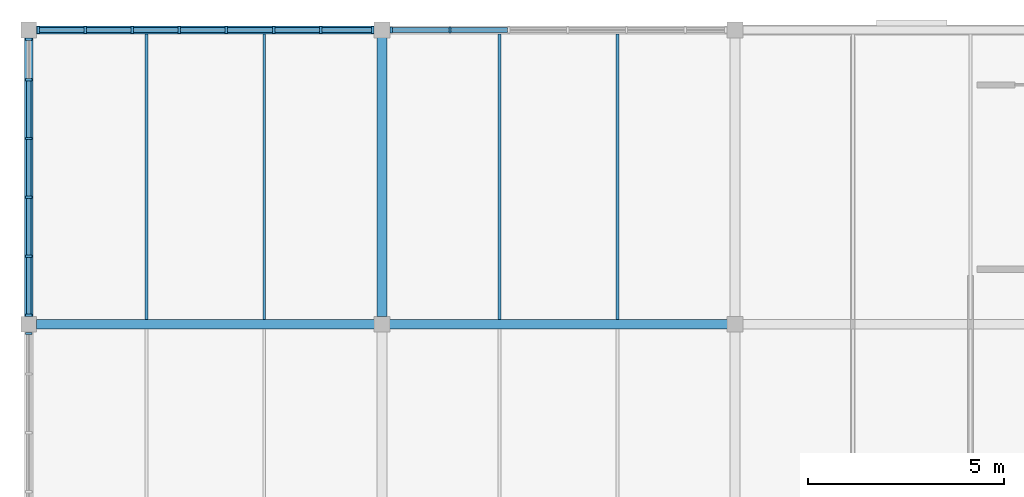
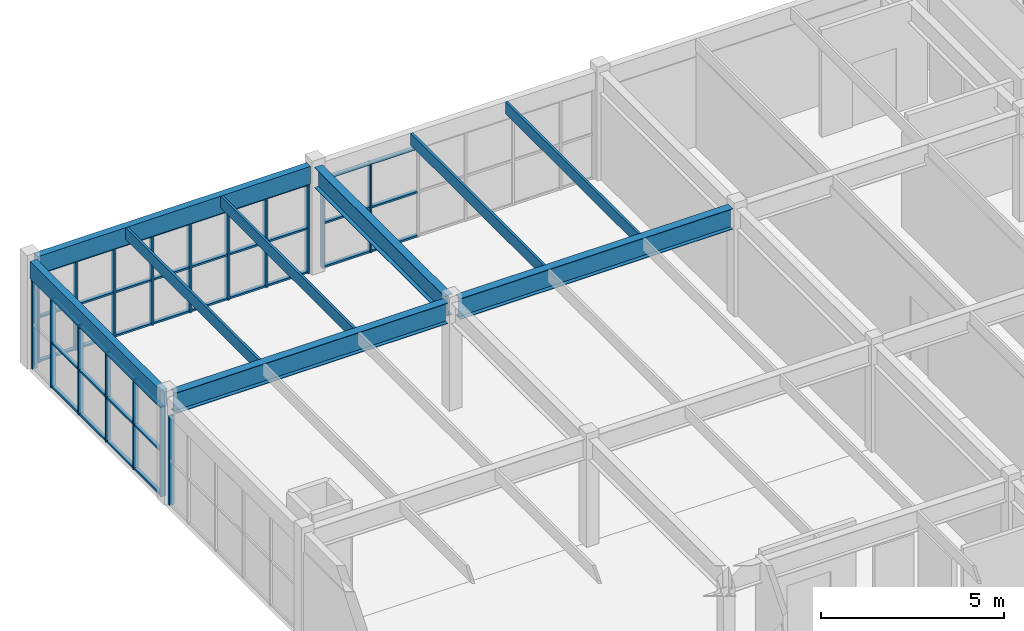
# One storey, part 32 of 81: 56 members, 9 beams, 4 elements without a shape of their own.
"""IFC4 building model written with IfcOpenShell, lengths in metres."""

from ifc_helpers import new_model, si_unit, direction, frame, origin, origin_2d, place, context, subcontext, project, spatial, rectangle, i_section, extrude, material, layer, layer_set, material_profile, profile_set, type_object, element, aggregate, save


model = new_model("IFC4")

# Units and contexts
model_context = context("Model", 3, precision=1e-05, world=origin(), true_north=direction((0.0, 1.0)))
body_context = subcontext(model_context, "Body", "Model", "MODEL_VIEW")
ifc_project = project(units=[si_unit("LENGTHUNIT", "METRE"), si_unit("AREAUNIT", "SQUARE_METRE"), si_unit("VOLUMEUNIT", "CUBIC_METRE"), si_unit("PLANEANGLEUNIT", "RADIAN"), si_unit("MASSUNIT", "GRAM", prefix="KILO")], contexts=[model_context])

# Site, building, storey
site_placement = place(None, origin())
site = spatial("IfcSite", under=ifc_project, at=site_placement, CompositionType="ELEMENT")
building_placement = place(site_placement, origin())
building = spatial("IfcBuilding", under=site, at=building_placement, Name="Marnridge Secondary College", CompositionType="ELEMENT")
storey_placement = place(building_placement, frame((0.0, 0.0, 8.5)))
storey = spatial("IfcBuildingStorey", under=building, at=storey_placement, Name="L02", CompositionType="ELEMENT", Elevation=8.5)

# Beams
ifc_material_1 = material(Name="Glulam timber GL18", Category="wood")
ifc_material_profile_1 = material_profile(ifc_material_1, rectangle(XDim=0.215087890625, YDim=0.5849609375, at=origin_2d()), Name="GL18 215x585")
ifc_profile_set_1 = profile_set([ifc_material_profile_1], Name="Glulam timber GL18")
beam_type_1 = type_object("IfcBeamType", Name="BM-GL585-EXT", PredefinedType="SPANDREL", material=ifc_profile_set_1)
beam_1_placement = place(storey_placement, frame((0.194091796875, 120.0, 3.28759765625), z_axis=(1.0, 0.0, 0.0), x_axis=(0.0, 1.0, 0.0)))
element("IfcBeam", 1, at=beam_1_placement, inside=storey, type_object=beam_type_1, Name="Beam BS-L02-0867", PredefinedType="SPANDREL", context=body_context, shape_type="SweptSolid", body=[
    extrude(rectangle(XDim=0.215087890625, YDim=0.5849609375, at=origin_2d()), origin(), (0.0, 0.0, 1.0), 8.61181640625),
])
beam_2_placement = place(storey_placement, frame((0.0, 112.694091796875, 3.28759765625), z_axis=(0.0, 1.0, 0.0), x_axis=(-1.0, 0.0, 0.0)))
element("IfcBeam", 2, at=beam_2_placement, inside=storey, type_object=beam_type_1, Name="Beam BS-L02-0868", PredefinedType="SPANDREL", context=body_context, shape_type="SweptSolid", body=[
    extrude(rectangle(XDim=0.215087890625, YDim=0.5849609375, at=origin_2d()), origin(), (0.0, 0.0, 1.0), 7.11181640625),
])
ifc_material_2 = material(Name="Engineered timber LVL E13.2", Category="wood")
ifc_material_profile_2 = material_profile(ifc_material_2, rectangle(XDim=0.074951171875, YDim=0.39990234375, at=origin_2d()), Name="LVL 75x400")
ifc_profile_set_2 = profile_set([ifc_material_profile_2], Name="Engineered timber LVL E13.2")
beam_type_2 = type_object("IfcBeamType", Name="BM-LVL400-INT", PredefinedType="JOIST", material=ifc_profile_set_2)
for number, where, z_axis, x_axis, name in (
    (3, (3.0, 112.618896484375, 3.3798828125), (0.0, 1.0, 0.0), (-1.0, 0.0, 0.0), "Beam BJ-L02-0910"),
    (4, (6.0, 112.618896484375, 3.3798828125), (0.0, 1.0, 0.0), (-1.0, 0.0, 0.0), "Beam BJ-L02-0911"),
    (5, (12.0, 112.618896484375, 3.3798828125), (0.0, 1.0, 0.0), (-1.0, 0.0, 0.0), "Beam BJ-L02-0917"),
    (6, (15.0, 112.618896484375, 3.3798828125), (0.0, 1.0, 0.0), (-1.0, 0.0, 0.0), "Beam BJ-L02-0918"),
):
    element("IfcBeam", number, at=place(storey_placement, frame(where, z_axis=z_axis, x_axis=x_axis)), inside=storey, type_object=beam_type_2, Name=name, PredefinedType="JOIST", context=body_context, shape_type="SweptSolid", body=[
        extrude(rectangle(XDim=0.074951171875, YDim=0.39990234375, at=origin_2d()), origin(), (0.0, 0.0, 1.0), 7.279541015625),
    ])
ifc_material_3 = material(Name="Structural steel Grade 350 (AS/NZS 3679.1/.2, fy = 340-360 MPa)", Category="steel")
ifc_material_profile_3 = material_profile(ifc_material_3, i_section(OverallWidth=0.25, OverallDepth=0.69189453125, WebThickness=0.009033203125, FlangeThickness=0.01611328125, at=origin_2d()), Name="700WB115")
ifc_profile_set_3 = profile_set([ifc_material_profile_3], Name="Structural steel Grade 350 (AS/NZS 3679.1/.2, fy = 340-360 MPa)")
beam_type_3 = type_object("IfcBeamType", Name="BM-WB700-INT", PredefinedType="BEAM", material=ifc_profile_set_3)
beam_3_placement = place(storey_placement, frame((0.194091796875, 112.5, 3.23388671875), z_axis=(1.0, 0.0, 0.0), x_axis=(0.0, 1.0, 0.0)))
element("IfcBeam", 7, at=beam_3_placement, inside=storey, type_object=beam_type_3, Name="Beam B-L02-0864", PredefinedType="BEAM", context=body_context, shape_type="SweptSolid", body=[
    extrude(i_section(OverallWidth=0.25, OverallDepth=0.69189453125, WebThickness=0.009033203125, FlangeThickness=0.01611328125, at=origin_2d()), origin(), (0.0, 0.0, 1.0), 8.61181640625),
])
beam_4_placement = place(storey_placement, frame((9.0, 112.694091796875, 3.23388671875), z_axis=(0.0, 1.0, 0.0), x_axis=(-1.0, 0.0, 0.0)))
element("IfcBeam", 8, at=beam_4_placement, inside=storey, type_object=beam_type_3, Name="Beam B-L02-0869", PredefinedType="BEAM", context=body_context, shape_type="SweptSolid", body=[
    extrude(i_section(OverallWidth=0.25, OverallDepth=0.69189453125, WebThickness=0.009033203125, FlangeThickness=0.01611328125, at=origin_2d()), origin(), (0.0, 0.0, 1.0), 7.11181640625),
])
beam_5_placement = place(storey_placement, frame((9.194091796875, 112.5, 3.23388671875), z_axis=(1.0, 0.0, 0.0), x_axis=(0.0, 1.0, 0.0)))
element("IfcBeam", 9, at=beam_5_placement, inside=storey, type_object=beam_type_3, Name="Beam B-L02-0875", PredefinedType="BEAM", context=body_context, shape_type="SweptSolid", body=[
    extrude(i_section(OverallWidth=0.25, OverallDepth=0.69189453125, WebThickness=0.009033203125, FlangeThickness=0.01611328125, at=origin_2d()), origin(), (0.0, 0.0, 1.0), 8.61181640625),
])

# Curtain wall, members
ifc_material_4 = material(Name="Thermally broken aluminium and low-E glazing", Category="aluminium")
ifc_layer_1 = layer(ifc_material_4, 0.159912109375)
ifc_layer_set_1 = layer_set([ifc_layer_1], Name="CW-MOD-1500")
curtain_wall_type_1 = type_object("IfcCurtainWallType", Name="CW-MOD-1500", PredefinedType="NOTDEFINED", material=ifc_layer_set_1)
curtain_wall_1_placement = place(storey_placement, origin())
curtain_wall_1 = element("IfcCurtainWall", 10, at=curtain_wall_1_placement, inside=storey, type_object=curtain_wall_type_1, Name="Unitised curtain wall CW-L02-088", PredefinedType="NOTDEFINED")
ifc_material_5 = material(Name="Anodised aluminium 6063-T6", Category="aluminium")
ifc_material_profile_4 = material_profile(ifc_material_5, rectangle(XDim=0.06005859375, YDim=0.159912109375, at=origin_2d()), Name="ALU 60x160")
ifc_profile_set_4 = profile_set([ifc_material_profile_4], Name="Anodised aluminium 6063-T6")
member_type_1 = type_object("IfcMemberType", Name="CWM-ALU160", PredefinedType="MULLION", material=ifc_profile_set_4)
member_1_placement = place(storey_placement, frame((9.23388671875, 120.0, 0.0), z_axis=(0.0, 0.0, 1.0), x_axis=(1.0, 0.0, 0.0)))
member_1 = element("IfcMember", 11, at=member_1_placement, type_object=member_type_1, Name="CW-L02-088 mullion 1", PredefinedType="MULLION", context=body_context, shape_type="SweptSolid", body=[
    extrude(rectangle(XDim=0.06005859375, YDim=0.159912109375, at=origin_2d()), origin(), (0.0, 0.0, 1.0), 2.987060546875),
])
member_2_placement = place(storey_placement, frame((10.73388671875, 120.0, 0.0), z_axis=(0.0, 0.0, 1.0), x_axis=(1.0, 0.0, 0.0)))
member_2 = element("IfcMember", 12, at=member_2_placement, type_object=member_type_1, Name="CW-L02-088 mullion 2", PredefinedType="MULLION", context=body_context, shape_type="SweptSolid", body=[
    extrude(rectangle(XDim=0.06005859375, YDim=0.159912109375, at=origin_2d()), origin(), (0.0, 0.0, 1.0), 2.987060546875),
])

# Curtain wall, member
curtain_wall_2_placement = place(storey_placement, origin())
curtain_wall_2 = element("IfcCurtainWall", 13, at=curtain_wall_2_placement, inside=storey, type_object=curtain_wall_type_1, Name="Unitised curtain wall CW-L02-098", PredefinedType="NOTDEFINED")
member_3_placement = place(storey_placement, frame((0.0, 112.26611328125, 0.0), z_axis=(0.0, 0.0, 1.0), x_axis=(0.0, 1.0, 0.0)))
member_3 = element("IfcMember", 14, at=member_3_placement, type_object=member_type_1, Name="CW-L02-098 mullion 6", PredefinedType="MULLION", context=body_context, shape_type="SweptSolid", body=[
    extrude(rectangle(XDim=0.06005859375, YDim=0.159912109375, at=origin_2d()), origin(), (0.0, 0.0, 1.0), 2.987060546875),
])
aggregate(curtain_wall_2, [member_3])

# Curtain wall, members
curtain_wall_3_placement = place(storey_placement, origin())
curtain_wall_3 = element("IfcCurtainWall", 15, at=curtain_wall_3_placement, inside=storey, type_object=curtain_wall_type_1, Name="Unitised curtain wall CW-L02-099", PredefinedType="NOTDEFINED")
member_4_placement = place(storey_placement, frame((0.0, 112.73388671875, 0.0), z_axis=(0.0, 0.0, 1.0), x_axis=(0.0, 1.0, 0.0)))
member_4 = element("IfcMember", 16, at=member_4_placement, type_object=member_type_1, Name="CW-L02-099 mullion 1", PredefinedType="MULLION", context=body_context, shape_type="SweptSolid", body=[
    extrude(rectangle(XDim=0.06005859375, YDim=0.159912109375, at=origin_2d()), origin(), (0.0, 0.0, 1.0), 2.987060546875),
])
member_5_placement = place(storey_placement, frame((0.0, 114.23388671875, 0.0), z_axis=(0.0, 0.0, 1.0), x_axis=(0.0, 1.0, 0.0)))
member_5 = element("IfcMember", 17, at=member_5_placement, type_object=member_type_1, Name="CW-L02-099 mullion 2", PredefinedType="MULLION", context=body_context, shape_type="SweptSolid", body=[
    extrude(rectangle(XDim=0.06005859375, YDim=0.159912109375, at=origin_2d()), origin(), (0.0, 0.0, 1.0), 2.987060546875),
])
member_6_placement = place(storey_placement, frame((0.0, 115.73388671875, 0.0), z_axis=(0.0, 0.0, 1.0), x_axis=(0.0, 1.0, 0.0)))
member_6 = element("IfcMember", 18, at=member_6_placement, type_object=member_type_1, Name="CW-L02-099 mullion 3", PredefinedType="MULLION", context=body_context, shape_type="SweptSolid", body=[
    extrude(rectangle(XDim=0.06005859375, YDim=0.159912109375, at=origin_2d()), origin(), (0.0, 0.0, 1.0), 2.987060546875),
])
member_7_placement = place(storey_placement, frame((0.0, 117.23388671875, 0.0), z_axis=(0.0, 0.0, 1.0), x_axis=(0.0, 1.0, 0.0)))
member_7 = element("IfcMember", 19, at=member_7_placement, type_object=member_type_1, Name="CW-L02-099 mullion 4", PredefinedType="MULLION", context=body_context, shape_type="SweptSolid", body=[
    extrude(rectangle(XDim=0.06005859375, YDim=0.159912109375, at=origin_2d()), origin(), (0.0, 0.0, 1.0), 2.987060546875),
])
member_8_placement = place(storey_placement, frame((0.0, 118.73388671875, 0.0), z_axis=(0.0, 0.0, 1.0), x_axis=(0.0, 1.0, 0.0)))
member_8 = element("IfcMember", 20, at=member_8_placement, type_object=member_type_1, Name="CW-L02-099 mullion 5", PredefinedType="MULLION", context=body_context, shape_type="SweptSolid", body=[
    extrude(rectangle(XDim=0.06005859375, YDim=0.159912109375, at=origin_2d()), origin(), (0.0, 0.0, 1.0), 2.987060546875),
])
member_9_placement = place(storey_placement, frame((0.0, 119.76611328125, 0.0), z_axis=(0.0, 0.0, 1.0), x_axis=(0.0, 1.0, 0.0)))
member_9 = element("IfcMember", 21, at=member_9_placement, type_object=member_type_1, Name="CW-L02-099 mullion 6", PredefinedType="MULLION", context=body_context, shape_type="SweptSolid", body=[
    extrude(rectangle(XDim=0.06005859375, YDim=0.159912109375, at=origin_2d()), origin(), (0.0, 0.0, 1.0), 2.987060546875),
])

ifc_material_6 = material(Name="Thermally broken aluminium and low-E glazing", Category="aluminium")
ifc_layer_2 = layer(ifc_material_6, 0.179931640625)
ifc_layer_set_2 = layer_set([ifc_layer_2], Name="CW-MOD-1200")
curtain_wall_type_2 = type_object("IfcCurtainWallType", Name="CW-MOD-1200", PredefinedType="NOTDEFINED", material=ifc_layer_set_2)
curtain_wall_4_placement = place(storey_placement, origin())
curtain_wall_4 = element("IfcCurtainWall", 22, at=curtain_wall_4_placement, inside=storey, type_object=curtain_wall_type_2, Name="Unitised curtain wall CW-L02-087", PredefinedType="NOTDEFINED")
ifc_material_7 = material(Name="Anodised aluminium 6063-T6", Category="aluminium")
ifc_material_profile_5 = material_profile(ifc_material_7, rectangle(XDim=0.06494140625, YDim=0.179931640625, at=origin_2d()), Name="ALU 65x180")
ifc_profile_set_5 = profile_set([ifc_material_profile_5], Name="Anodised aluminium 6063-T6")
member_type_2 = type_object("IfcMemberType", Name="CWM-ALU180", PredefinedType="MULLION", material=ifc_profile_set_5)
member_10_placement = place(storey_placement, frame((0.236572265625, 120.0, 0.0), z_axis=(0.0, 0.0, 1.0), x_axis=(1.0, 0.0, 0.0)))
member_10 = element("IfcMember", 23, at=member_10_placement, type_object=member_type_2, Name="CW-L02-087 mullion 1", PredefinedType="MULLION", context=body_context, shape_type="SweptSolid", body=[
    extrude(rectangle(XDim=0.06494140625, YDim=0.179931640625, at=origin_2d()), origin(), (0.0, 0.0, 1.0), 2.987060546875),
])
member_11_placement = place(storey_placement, frame((1.4365234375, 120.0, 0.0), z_axis=(0.0, 0.0, 1.0), x_axis=(1.0, 0.0, 0.0)))
member_11 = element("IfcMember", 24, at=member_11_placement, type_object=member_type_2, Name="CW-L02-087 mullion 2", PredefinedType="MULLION", context=body_context, shape_type="SweptSolid", body=[
    extrude(rectangle(XDim=0.06494140625, YDim=0.179931640625, at=origin_2d()), origin(), (0.0, 0.0, 1.0), 2.987060546875),
])
member_12_placement = place(storey_placement, frame((2.636474609375, 120.0, 0.0), z_axis=(0.0, 0.0, 1.0), x_axis=(1.0, 0.0, 0.0)))
member_12 = element("IfcMember", 25, at=member_12_placement, type_object=member_type_2, Name="CW-L02-087 mullion 3", PredefinedType="MULLION", context=body_context, shape_type="SweptSolid", body=[
    extrude(rectangle(XDim=0.06494140625, YDim=0.179931640625, at=origin_2d()), origin(), (0.0, 0.0, 1.0), 2.987060546875),
])
member_13_placement = place(storey_placement, frame((3.83642578125, 120.0, 0.0), z_axis=(0.0, 0.0, 1.0), x_axis=(1.0, 0.0, 0.0)))
member_13 = element("IfcMember", 26, at=member_13_placement, type_object=member_type_2, Name="CW-L02-087 mullion 4", PredefinedType="MULLION", context=body_context, shape_type="SweptSolid", body=[
    extrude(rectangle(XDim=0.06494140625, YDim=0.179931640625, at=origin_2d()), origin(), (0.0, 0.0, 1.0), 2.987060546875),
])
member_14_placement = place(storey_placement, frame((5.03662109375, 120.0, 0.0), z_axis=(0.0, 0.0, 1.0), x_axis=(1.0, 0.0, 0.0)))
member_14 = element("IfcMember", 27, at=member_14_placement, type_object=member_type_2, Name="CW-L02-087 mullion 5", PredefinedType="MULLION", context=body_context, shape_type="SweptSolid", body=[
    extrude(rectangle(XDim=0.06494140625, YDim=0.179931640625, at=origin_2d()), origin(), (0.0, 0.0, 1.0), 2.987060546875),
])
member_15_placement = place(storey_placement, frame((6.236572265625, 120.0, 0.0), z_axis=(0.0, 0.0, 1.0), x_axis=(1.0, 0.0, 0.0)))
member_15 = element("IfcMember", 28, at=member_15_placement, type_object=member_type_2, Name="CW-L02-087 mullion 6", PredefinedType="MULLION", context=body_context, shape_type="SweptSolid", body=[
    extrude(rectangle(XDim=0.06494140625, YDim=0.179931640625, at=origin_2d()), origin(), (0.0, 0.0, 1.0), 2.987060546875),
])
member_16_placement = place(storey_placement, frame((7.4365234375, 120.0, 0.0), z_axis=(0.0, 0.0, 1.0), x_axis=(1.0, 0.0, 0.0)))
member_16 = element("IfcMember", 29, at=member_16_placement, type_object=member_type_2, Name="CW-L02-087 mullion 7", PredefinedType="MULLION", context=body_context, shape_type="SweptSolid", body=[
    extrude(rectangle(XDim=0.06494140625, YDim=0.179931640625, at=origin_2d()), origin(), (0.0, 0.0, 1.0), 2.987060546875),
])
member_17_placement = place(storey_placement, frame((8.763427734375, 120.0, 0.0), z_axis=(0.0, 0.0, 1.0), x_axis=(1.0, 0.0, 0.0)))
member_17 = element("IfcMember", 30, at=member_17_placement, type_object=member_type_2, Name="CW-L02-087 mullion 8", PredefinedType="MULLION", context=body_context, shape_type="SweptSolid", body=[
    extrude(rectangle(XDim=0.06494140625, YDim=0.179931640625, at=origin_2d()), origin(), (0.0, 0.0, 1.0), 2.987060546875),
])
ifc_material_8 = material(Name="Anodised aluminium 6063-T6", Category="aluminium")
ifc_material_profile_6 = material_profile(ifc_material_8, rectangle(XDim=0.06005859375, YDim=0.1201171875, at=origin_2d()), Name="ALU 60x120")
ifc_profile_set_6 = profile_set([ifc_material_profile_6], Name="Anodised aluminium 6063-T6")
member_type_3 = type_object("IfcMemberType", Name="CWT-ALU120", PredefinedType="USERDEFINED", material=ifc_profile_set_6)
member_18_placement = place(storey_placement, frame((0.26904296875, 120.0, 0.030029296875), z_axis=(1.0, 0.0, 0.0), x_axis=(0.0, 0.0, 1.0)))
member_18 = element("IfcMember", 31, at=member_18_placement, type_object=member_type_3, Name="CW-L02-087 transom 1.1", ObjectType="TRANSOM", PredefinedType="USERDEFINED", context=body_context, shape_type="SweptSolid", body=[
    extrude(rectangle(XDim=0.06005859375, YDim=0.1201171875, at=origin_2d()), origin(), (0.0, 0.0, 1.0), 1.135009765625),
])
member_19_placement = place(storey_placement, frame((0.26904296875, 120.0, 1.493896484375), z_axis=(1.0, 0.0, 0.0), x_axis=(0.0, 0.0, 1.0)))
member_19 = element("IfcMember", 32, at=member_19_placement, type_object=member_type_3, Name="CW-L02-087 transom 1.2", ObjectType="TRANSOM", PredefinedType="USERDEFINED", context=body_context, shape_type="SweptSolid", body=[
    extrude(rectangle(XDim=0.06005859375, YDim=0.1201171875, at=origin_2d()), origin(), (0.0, 0.0, 1.0), 1.135009765625),
])
member_20_placement = place(storey_placement, frame((0.26904296875, 120.0, 2.95703125), z_axis=(1.0, 0.0, 0.0), x_axis=(0.0, 0.0, 1.0)))
member_20 = element("IfcMember", 33, at=member_20_placement, type_object=member_type_3, Name="CW-L02-087 transom 1.3", ObjectType="TRANSOM", PredefinedType="USERDEFINED", context=body_context, shape_type="SweptSolid", body=[
    extrude(rectangle(XDim=0.06005859375, YDim=0.1201171875, at=origin_2d()), origin(), (0.0, 0.0, 1.0), 1.135009765625),
])
member_21_placement = place(storey_placement, frame((1.468994140625, 120.0, 0.030029296875), z_axis=(1.0, 0.0, 0.0), x_axis=(0.0, 0.0, 1.0)))
member_21 = element("IfcMember", 34, at=member_21_placement, type_object=member_type_3, Name="CW-L02-087 transom 2.1", ObjectType="TRANSOM", PredefinedType="USERDEFINED", context=body_context, shape_type="SweptSolid", body=[
    extrude(rectangle(XDim=0.06005859375, YDim=0.1201171875, at=origin_2d()), origin(), (0.0, 0.0, 1.0), 1.135009765625),
])
member_22_placement = place(storey_placement, frame((1.468994140625, 120.0, 1.493896484375), z_axis=(1.0, 0.0, 0.0), x_axis=(0.0, 0.0, 1.0)))
member_22 = element("IfcMember", 35, at=member_22_placement, type_object=member_type_3, Name="CW-L02-087 transom 2.2", ObjectType="TRANSOM", PredefinedType="USERDEFINED", context=body_context, shape_type="SweptSolid", body=[
    extrude(rectangle(XDim=0.06005859375, YDim=0.1201171875, at=origin_2d()), origin(), (0.0, 0.0, 1.0), 1.135009765625),
])
member_23_placement = place(storey_placement, frame((1.468994140625, 120.0, 2.95703125), z_axis=(1.0, 0.0, 0.0), x_axis=(0.0, 0.0, 1.0)))
member_23 = element("IfcMember", 36, at=member_23_placement, type_object=member_type_3, Name="CW-L02-087 transom 2.3", ObjectType="TRANSOM", PredefinedType="USERDEFINED", context=body_context, shape_type="SweptSolid", body=[
    extrude(rectangle(XDim=0.06005859375, YDim=0.1201171875, at=origin_2d()), origin(), (0.0, 0.0, 1.0), 1.135009765625),
])
member_24_placement = place(storey_placement, frame((2.6689453125, 120.0, 0.030029296875), z_axis=(1.0, 0.0, 0.0), x_axis=(0.0, 0.0, 1.0)))
member_24 = element("IfcMember", 37, at=member_24_placement, type_object=member_type_3, Name="CW-L02-087 transom 3.1", ObjectType="TRANSOM", PredefinedType="USERDEFINED", context=body_context, shape_type="SweptSolid", body=[
    extrude(rectangle(XDim=0.06005859375, YDim=0.1201171875, at=origin_2d()), origin(), (0.0, 0.0, 1.0), 1.135009765625),
])
member_25_placement = place(storey_placement, frame((2.6689453125, 120.0, 1.493896484375), z_axis=(1.0, 0.0, 0.0), x_axis=(0.0, 0.0, 1.0)))
member_25 = element("IfcMember", 38, at=member_25_placement, type_object=member_type_3, Name="CW-L02-087 transom 3.2", ObjectType="TRANSOM", PredefinedType="USERDEFINED", context=body_context, shape_type="SweptSolid", body=[
    extrude(rectangle(XDim=0.06005859375, YDim=0.1201171875, at=origin_2d()), origin(), (0.0, 0.0, 1.0), 1.135009765625),
])
member_26_placement = place(storey_placement, frame((2.6689453125, 120.0, 2.95703125), z_axis=(1.0, 0.0, 0.0), x_axis=(0.0, 0.0, 1.0)))
member_26 = element("IfcMember", 39, at=member_26_placement, type_object=member_type_3, Name="CW-L02-087 transom 3.3", ObjectType="TRANSOM", PredefinedType="USERDEFINED", context=body_context, shape_type="SweptSolid", body=[
    extrude(rectangle(XDim=0.06005859375, YDim=0.1201171875, at=origin_2d()), origin(), (0.0, 0.0, 1.0), 1.135009765625),
])
member_27_placement = place(storey_placement, frame((3.868896484375, 120.0, 0.030029296875), z_axis=(1.0, 0.0, 0.0), x_axis=(0.0, 0.0, 1.0)))
member_27 = element("IfcMember", 40, at=member_27_placement, type_object=member_type_3, Name="CW-L02-087 transom 4.1", ObjectType="TRANSOM", PredefinedType="USERDEFINED", context=body_context, shape_type="SweptSolid", body=[
    extrude(rectangle(XDim=0.06005859375, YDim=0.1201171875, at=origin_2d()), origin(), (0.0, 0.0, 1.0), 1.135009765625),
])
member_28_placement = place(storey_placement, frame((3.868896484375, 120.0, 1.493896484375), z_axis=(1.0, 0.0, 0.0), x_axis=(0.0, 0.0, 1.0)))
member_28 = element("IfcMember", 41, at=member_28_placement, type_object=member_type_3, Name="CW-L02-087 transom 4.2", ObjectType="TRANSOM", PredefinedType="USERDEFINED", context=body_context, shape_type="SweptSolid", body=[
    extrude(rectangle(XDim=0.06005859375, YDim=0.1201171875, at=origin_2d()), origin(), (0.0, 0.0, 1.0), 1.135009765625),
])
member_29_placement = place(storey_placement, frame((3.868896484375, 120.0, 2.95703125), z_axis=(1.0, 0.0, 0.0), x_axis=(0.0, 0.0, 1.0)))
member_29 = element("IfcMember", 42, at=member_29_placement, type_object=member_type_3, Name="CW-L02-087 transom 4.3", ObjectType="TRANSOM", PredefinedType="USERDEFINED", context=body_context, shape_type="SweptSolid", body=[
    extrude(rectangle(XDim=0.06005859375, YDim=0.1201171875, at=origin_2d()), origin(), (0.0, 0.0, 1.0), 1.135009765625),
])
member_30_placement = place(storey_placement, frame((5.069091796875, 120.0, 0.030029296875), z_axis=(1.0, 0.0, 0.0), x_axis=(0.0, 0.0, 1.0)))
member_30 = element("IfcMember", 43, at=member_30_placement, type_object=member_type_3, Name="CW-L02-087 transom 5.1", ObjectType="TRANSOM", PredefinedType="USERDEFINED", context=body_context, shape_type="SweptSolid", body=[
    extrude(rectangle(XDim=0.06005859375, YDim=0.1201171875, at=origin_2d()), origin(), (0.0, 0.0, 1.0), 1.135009765625),
])
member_31_placement = place(storey_placement, frame((5.069091796875, 120.0, 1.493896484375), z_axis=(1.0, 0.0, 0.0), x_axis=(0.0, 0.0, 1.0)))
member_31 = element("IfcMember", 44, at=member_31_placement, type_object=member_type_3, Name="CW-L02-087 transom 5.2", ObjectType="TRANSOM", PredefinedType="USERDEFINED", context=body_context, shape_type="SweptSolid", body=[
    extrude(rectangle(XDim=0.06005859375, YDim=0.1201171875, at=origin_2d()), origin(), (0.0, 0.0, 1.0), 1.135009765625),
])
member_32_placement = place(storey_placement, frame((5.069091796875, 120.0, 2.95703125), z_axis=(1.0, 0.0, 0.0), x_axis=(0.0, 0.0, 1.0)))
member_32 = element("IfcMember", 45, at=member_32_placement, type_object=member_type_3, Name="CW-L02-087 transom 5.3", ObjectType="TRANSOM", PredefinedType="USERDEFINED", context=body_context, shape_type="SweptSolid", body=[
    extrude(rectangle(XDim=0.06005859375, YDim=0.1201171875, at=origin_2d()), origin(), (0.0, 0.0, 1.0), 1.135009765625),
])
member_33_placement = place(storey_placement, frame((6.26904296875, 120.0, 0.030029296875), z_axis=(1.0, 0.0, 0.0), x_axis=(0.0, 0.0, 1.0)))
member_33 = element("IfcMember", 46, at=member_33_placement, type_object=member_type_3, Name="CW-L02-087 transom 6.1", ObjectType="TRANSOM", PredefinedType="USERDEFINED", context=body_context, shape_type="SweptSolid", body=[
    extrude(rectangle(XDim=0.06005859375, YDim=0.1201171875, at=origin_2d()), origin(), (0.0, 0.0, 1.0), 1.135009765625),
])
member_34_placement = place(storey_placement, frame((6.26904296875, 120.0, 1.493896484375), z_axis=(1.0, 0.0, 0.0), x_axis=(0.0, 0.0, 1.0)))
member_34 = element("IfcMember", 47, at=member_34_placement, type_object=member_type_3, Name="CW-L02-087 transom 6.2", ObjectType="TRANSOM", PredefinedType="USERDEFINED", context=body_context, shape_type="SweptSolid", body=[
    extrude(rectangle(XDim=0.06005859375, YDim=0.1201171875, at=origin_2d()), origin(), (0.0, 0.0, 1.0), 1.135009765625),
])
member_35_placement = place(storey_placement, frame((6.26904296875, 120.0, 2.95703125), z_axis=(1.0, 0.0, 0.0), x_axis=(0.0, 0.0, 1.0)))
member_35 = element("IfcMember", 48, at=member_35_placement, type_object=member_type_3, Name="CW-L02-087 transom 6.3", ObjectType="TRANSOM", PredefinedType="USERDEFINED", context=body_context, shape_type="SweptSolid", body=[
    extrude(rectangle(XDim=0.06005859375, YDim=0.1201171875, at=origin_2d()), origin(), (0.0, 0.0, 1.0), 1.135009765625),
])
member_36_placement = place(storey_placement, frame((7.468994140625, 120.0, 0.030029296875), z_axis=(1.0, 0.0, 0.0), x_axis=(0.0, 0.0, 1.0)))
member_36 = element("IfcMember", 49, at=member_36_placement, type_object=member_type_3, Name="CW-L02-087 transom 7.1", ObjectType="TRANSOM", PredefinedType="USERDEFINED", context=body_context, shape_type="SweptSolid", body=[
    extrude(rectangle(XDim=0.06005859375, YDim=0.1201171875, at=origin_2d()), origin(), (0.0, 0.0, 1.0), 1.261962890625),
])
member_37_placement = place(storey_placement, frame((7.468994140625, 120.0, 1.493896484375), z_axis=(1.0, 0.0, 0.0), x_axis=(0.0, 0.0, 1.0)))
member_37 = element("IfcMember", 50, at=member_37_placement, type_object=member_type_3, Name="CW-L02-087 transom 7.2", ObjectType="TRANSOM", PredefinedType="USERDEFINED", context=body_context, shape_type="SweptSolid", body=[
    extrude(rectangle(XDim=0.06005859375, YDim=0.1201171875, at=origin_2d()), origin(), (0.0, 0.0, 1.0), 1.261962890625),
])
member_38_placement = place(storey_placement, frame((7.468994140625, 120.0, 2.95703125), z_axis=(1.0, 0.0, 0.0), x_axis=(0.0, 0.0, 1.0)))
member_38 = element("IfcMember", 51, at=member_38_placement, type_object=member_type_3, Name="CW-L02-087 transom 7.3", ObjectType="TRANSOM", PredefinedType="USERDEFINED", context=body_context, shape_type="SweptSolid", body=[
    extrude(rectangle(XDim=0.06005859375, YDim=0.1201171875, at=origin_2d()), origin(), (0.0, 0.0, 1.0), 1.261962890625),
])
aggregate(curtain_wall_4, [member_10, member_11, member_12, member_13, member_14, member_15, member_16, member_17, member_18, member_19, member_20, member_21, member_22, member_23, member_24, member_25, member_26, member_27, member_28, member_29, member_30, member_31, member_32, member_33, member_34, member_35, member_36, member_37, member_38])

# Member
member_39_placement = place(storey_placement, frame((9.263916015625, 120.0, 0.030029296875), z_axis=(1.0, 0.0, 0.0), x_axis=(0.0, 0.0, 1.0)))
member_39 = element("IfcMember", 52, at=member_39_placement, type_object=member_type_3, Name="CW-L02-088 transom 1.1", ObjectType="TRANSOM", PredefinedType="USERDEFINED", context=body_context, shape_type="SweptSolid", body=[
    extrude(rectangle(XDim=0.06005859375, YDim=0.1201171875, at=origin_2d()), origin(), (0.0, 0.0, 1.0), 1.440185546875),
])

member_40_placement = place(storey_placement, frame((9.263916015625, 120.0, 1.493896484375), z_axis=(1.0, 0.0, 0.0), x_axis=(0.0, 0.0, 1.0)))
member_40 = element("IfcMember", 53, at=member_40_placement, type_object=member_type_3, Name="CW-L02-088 transom 1.2", ObjectType="TRANSOM", PredefinedType="USERDEFINED", context=body_context, shape_type="SweptSolid", body=[
    extrude(rectangle(XDim=0.06005859375, YDim=0.1201171875, at=origin_2d()), origin(), (0.0, 0.0, 1.0), 1.440185546875),
])

member_41_placement = place(storey_placement, frame((9.263916015625, 120.0, 2.95703125), z_axis=(1.0, 0.0, 0.0), x_axis=(0.0, 0.0, 1.0)))
member_41 = element("IfcMember", 54, at=member_41_placement, type_object=member_type_3, Name="CW-L02-088 transom 1.3", ObjectType="TRANSOM", PredefinedType="USERDEFINED", context=body_context, shape_type="SweptSolid", body=[
    extrude(rectangle(XDim=0.06005859375, YDim=0.1201171875, at=origin_2d()), origin(), (0.0, 0.0, 1.0), 1.440185546875),
])

member_42_placement = place(storey_placement, frame((10.763916015625, 120.0, 0.030029296875), z_axis=(1.0, 0.0, 0.0), x_axis=(0.0, 0.0, 1.0)))
member_42 = element("IfcMember", 55, at=member_42_placement, type_object=member_type_3, Name="CW-L02-088 transom 2.1", ObjectType="TRANSOM", PredefinedType="USERDEFINED", context=body_context, shape_type="SweptSolid", body=[
    extrude(rectangle(XDim=0.06005859375, YDim=0.1201171875, at=origin_2d()), origin(), (0.0, 0.0, 1.0), 1.440185546875),
])

member_43_placement = place(storey_placement, frame((10.763916015625, 120.0, 1.493896484375), z_axis=(1.0, 0.0, 0.0), x_axis=(0.0, 0.0, 1.0)))
member_43 = element("IfcMember", 56, at=member_43_placement, type_object=member_type_3, Name="CW-L02-088 transom 2.2", ObjectType="TRANSOM", PredefinedType="USERDEFINED", context=body_context, shape_type="SweptSolid", body=[
    extrude(rectangle(XDim=0.06005859375, YDim=0.1201171875, at=origin_2d()), origin(), (0.0, 0.0, 1.0), 1.440185546875),
])

member_44_placement = place(storey_placement, frame((10.763916015625, 120.0, 2.95703125), z_axis=(1.0, 0.0, 0.0), x_axis=(0.0, 0.0, 1.0)))
member_44 = element("IfcMember", 57, at=member_44_placement, type_object=member_type_3, Name="CW-L02-088 transom 2.3", ObjectType="TRANSOM", PredefinedType="USERDEFINED", context=body_context, shape_type="SweptSolid", body=[
    extrude(rectangle(XDim=0.06005859375, YDim=0.1201171875, at=origin_2d()), origin(), (0.0, 0.0, 1.0), 1.440185546875),
])

aggregate(curtain_wall_1, [member_1, member_2, member_39, member_40, member_41, member_42, member_43, member_44])

member_45_placement = place(storey_placement, frame((0.0, 112.763916015625, 0.030029296875), z_axis=(0.0, 1.0, 0.0), x_axis=(0.0, 0.0, 1.0)))
member_45 = element("IfcMember", 58, at=member_45_placement, type_object=member_type_3, Name="CW-L02-099 transom 1.1", ObjectType="TRANSOM", PredefinedType="USERDEFINED", context=body_context, shape_type="SweptSolid", body=[
    extrude(rectangle(XDim=0.06005859375, YDim=0.1201171875, at=origin_2d()), origin(), (0.0, 0.0, 1.0), 1.440185546875),
])

member_46_placement = place(storey_placement, frame((0.0, 112.763916015625, 1.493896484375), z_axis=(0.0, 1.0, 0.0), x_axis=(0.0, 0.0, 1.0)))
member_46 = element("IfcMember", 59, at=member_46_placement, type_object=member_type_3, Name="CW-L02-099 transom 1.2", ObjectType="TRANSOM", PredefinedType="USERDEFINED", context=body_context, shape_type="SweptSolid", body=[
    extrude(rectangle(XDim=0.06005859375, YDim=0.1201171875, at=origin_2d()), origin(), (0.0, 0.0, 1.0), 1.440185546875),
])

member_47_placement = place(storey_placement, frame((0.0, 112.763916015625, 2.95703125), z_axis=(0.0, 1.0, 0.0), x_axis=(0.0, 0.0, 1.0)))
member_47 = element("IfcMember", 60, at=member_47_placement, type_object=member_type_3, Name="CW-L02-099 transom 1.3", ObjectType="TRANSOM", PredefinedType="USERDEFINED", context=body_context, shape_type="SweptSolid", body=[
    extrude(rectangle(XDim=0.06005859375, YDim=0.1201171875, at=origin_2d()), origin(), (0.0, 0.0, 1.0), 1.440185546875),
])

member_48_placement = place(storey_placement, frame((0.0, 114.263916015625, 0.030029296875), z_axis=(0.0, 1.0, 0.0), x_axis=(0.0, 0.0, 1.0)))
member_48 = element("IfcMember", 61, at=member_48_placement, type_object=member_type_3, Name="CW-L02-099 transom 2.1", ObjectType="TRANSOM", PredefinedType="USERDEFINED", context=body_context, shape_type="SweptSolid", body=[
    extrude(rectangle(XDim=0.06005859375, YDim=0.1201171875, at=origin_2d()), origin(), (0.0, 0.0, 1.0), 1.440185546875),
])

member_49_placement = place(storey_placement, frame((0.0, 114.263916015625, 1.493896484375), z_axis=(0.0, 1.0, 0.0), x_axis=(0.0, 0.0, 1.0)))
member_49 = element("IfcMember", 62, at=member_49_placement, type_object=member_type_3, Name="CW-L02-099 transom 2.2", ObjectType="TRANSOM", PredefinedType="USERDEFINED", context=body_context, shape_type="SweptSolid", body=[
    extrude(rectangle(XDim=0.06005859375, YDim=0.1201171875, at=origin_2d()), origin(), (0.0, 0.0, 1.0), 1.440185546875),
])

member_50_placement = place(storey_placement, frame((0.0, 114.263916015625, 2.95703125), z_axis=(0.0, 1.0, 0.0), x_axis=(0.0, 0.0, 1.0)))
member_50 = element("IfcMember", 63, at=member_50_placement, type_object=member_type_3, Name="CW-L02-099 transom 2.3", ObjectType="TRANSOM", PredefinedType="USERDEFINED", context=body_context, shape_type="SweptSolid", body=[
    extrude(rectangle(XDim=0.06005859375, YDim=0.1201171875, at=origin_2d()), origin(), (0.0, 0.0, 1.0), 1.440185546875),
])

member_51_placement = place(storey_placement, frame((0.0, 115.763916015625, 0.030029296875), z_axis=(0.0, 1.0, 0.0), x_axis=(0.0, 0.0, 1.0)))
member_51 = element("IfcMember", 64, at=member_51_placement, type_object=member_type_3, Name="CW-L02-099 transom 3.1", ObjectType="TRANSOM", PredefinedType="USERDEFINED", context=body_context, shape_type="SweptSolid", body=[
    extrude(rectangle(XDim=0.06005859375, YDim=0.1201171875, at=origin_2d()), origin(), (0.0, 0.0, 1.0), 1.440185546875),
])

member_52_placement = place(storey_placement, frame((0.0, 115.763916015625, 1.493896484375), z_axis=(0.0, 1.0, 0.0), x_axis=(0.0, 0.0, 1.0)))
member_52 = element("IfcMember", 65, at=member_52_placement, type_object=member_type_3, Name="CW-L02-099 transom 3.2", ObjectType="TRANSOM", PredefinedType="USERDEFINED", context=body_context, shape_type="SweptSolid", body=[
    extrude(rectangle(XDim=0.06005859375, YDim=0.1201171875, at=origin_2d()), origin(), (0.0, 0.0, 1.0), 1.440185546875),
])

member_53_placement = place(storey_placement, frame((0.0, 115.763916015625, 2.95703125), z_axis=(0.0, 1.0, 0.0), x_axis=(0.0, 0.0, 1.0)))
member_53 = element("IfcMember", 66, at=member_53_placement, type_object=member_type_3, Name="CW-L02-099 transom 3.3", ObjectType="TRANSOM", PredefinedType="USERDEFINED", context=body_context, shape_type="SweptSolid", body=[
    extrude(rectangle(XDim=0.06005859375, YDim=0.1201171875, at=origin_2d()), origin(), (0.0, 0.0, 1.0), 1.440185546875),
])

member_54_placement = place(storey_placement, frame((0.0, 117.263916015625, 0.030029296875), z_axis=(0.0, 1.0, 0.0), x_axis=(0.0, 0.0, 1.0)))
member_54 = element("IfcMember", 67, at=member_54_placement, type_object=member_type_3, Name="CW-L02-099 transom 4.1", ObjectType="TRANSOM", PredefinedType="USERDEFINED", context=body_context, shape_type="SweptSolid", body=[
    extrude(rectangle(XDim=0.06005859375, YDim=0.1201171875, at=origin_2d()), origin(), (0.0, 0.0, 1.0), 1.440185546875),
])

member_55_placement = place(storey_placement, frame((0.0, 117.263916015625, 1.493896484375), z_axis=(0.0, 1.0, 0.0), x_axis=(0.0, 0.0, 1.0)))
member_55 = element("IfcMember", 68, at=member_55_placement, type_object=member_type_3, Name="CW-L02-099 transom 4.2", ObjectType="TRANSOM", PredefinedType="USERDEFINED", context=body_context, shape_type="SweptSolid", body=[
    extrude(rectangle(XDim=0.06005859375, YDim=0.1201171875, at=origin_2d()), origin(), (0.0, 0.0, 1.0), 1.440185546875),
])

member_56_placement = place(storey_placement, frame((0.0, 117.263916015625, 2.95703125), z_axis=(0.0, 1.0, 0.0), x_axis=(0.0, 0.0, 1.0)))
member_56 = element("IfcMember", 69, at=member_56_placement, type_object=member_type_3, Name="CW-L02-099 transom 4.3", ObjectType="TRANSOM", PredefinedType="USERDEFINED", context=body_context, shape_type="SweptSolid", body=[
    extrude(rectangle(XDim=0.06005859375, YDim=0.1201171875, at=origin_2d()), origin(), (0.0, 0.0, 1.0), 1.440185546875),
])

aggregate(curtain_wall_3, [member_4, member_5, member_6, member_7, member_8, member_9, member_45, member_46, member_47, member_48, member_49, member_50, member_51, member_52, member_53, member_54, member_55, member_56])

save(model, "model.ifc")
